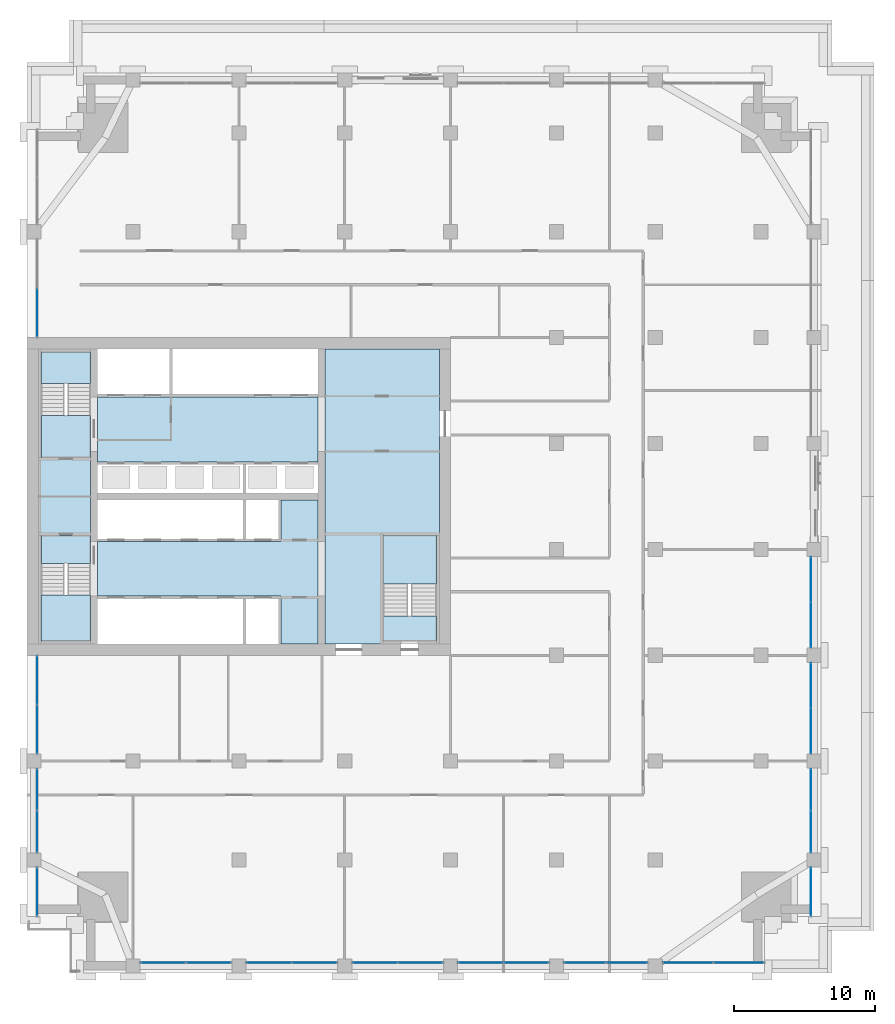
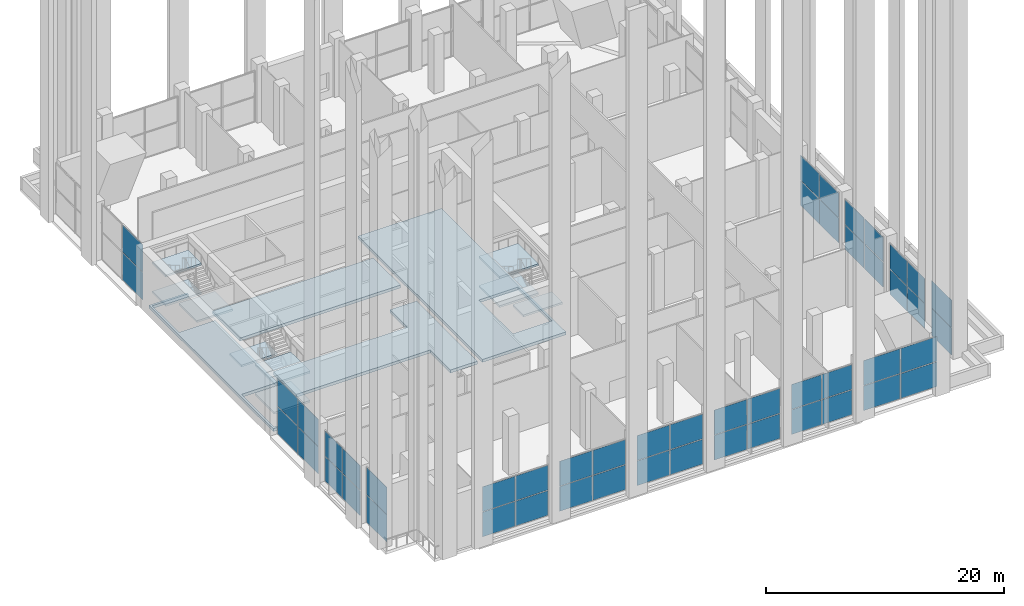
# One storey, part 10 of 23: 50 plates, 13 slabs, 17 elements without a shape of their own.
"""IFC4 building model written with IfcOpenShell, lengths in metres."""

from ifc_helpers import new_model, si_unit, direction, frame, origin, origin_2d, place, context, subcontext, project, spatial, polyline, rectangle, outline, extrude, material, layer, layer_set, type_object, element, aggregate, save


model = new_model("IFC4")

# Units and contexts
model_context = context("Model", 3, precision=1e-05, world=origin(), true_north=direction((0.0, 1.0)))
body_context = subcontext(model_context, "Body", "Model", "MODEL_VIEW")
ifc_project = project(units=[si_unit("LENGTHUNIT", "METRE"), si_unit("AREAUNIT", "SQUARE_METRE"), si_unit("VOLUMEUNIT", "CUBIC_METRE"), si_unit("PLANEANGLEUNIT", "RADIAN"), si_unit("MASSUNIT", "GRAM", prefix="KILO")], contexts=[model_context])

# Site, building, storey
site_placement = place(None, origin())
site = spatial("IfcSite", under=ifc_project, at=site_placement, CompositionType="ELEMENT")
building_placement = place(site_placement, origin())
building = spatial("IfcBuilding", under=site, at=building_placement, Name="Tamorin Gate", CompositionType="ELEMENT")
storey_placement = place(building_placement, frame((0.0, 0.0, 124.199951171875)))
storey = spatial("IfcBuildingStorey", under=building, at=storey_placement, Name="L30", CompositionType="ELEMENT", Elevation=124.199951171875)

# Curtain wall, plates
ifc_material_1 = material(Name="Aluminium mullions and transoms with clear glass", Category="aluminium")
ifc_layer_1 = layer(ifc_material_1, 0.159912109375)
ifc_layer_set_1 = layer_set([ifc_layer_1], Name="Curtain wall system CW1")
curtain_wall_type = type_object("IfcCurtainWallType", Name="Curtain wall system CW1", PredefinedType="NOTDEFINED", material=ifc_layer_set_1)
curtain_wall_1_placement = place(storey_placement, origin())
curtain_wall_1 = element("IfcCurtainWall", 1, at=curtain_wall_1_placement, inside=storey, type_object=curtain_wall_type, Name="Curtain wall", PredefinedType="NOTDEFINED")
ifc_material_2 = material(Name="Clear glass", Category="glass")
ifc_layer_2 = layer(ifc_material_2, 0.028076171875)
ifc_layer_set_2 = layer_set([ifc_layer_2], Name="Clear glass panel IGU 28")
plate_type = type_object("IfcPlateType", Name="Clear glass panel IGU 28", PredefinedType="CURTAIN_PANEL", material=ifc_layer_set_2)
plate_1_placement = place(storey_placement, frame((39.639892578125, 38.219970703125, 0.06005859375), z_axis=(0.0, 0.0, 1.0), x_axis=(1.0, 0.0, 0.0)))
plate_1 = element("IfcPlate", 2, at=plate_1_placement, type_object=plate_type, Name="CW1 panel 1.1", PredefinedType="CURTAIN_PANEL", context=body_context, shape_type="SweptSolid", body=[
    extrude(rectangle(XDim=3.159912109375, YDim=0.028076171875, at=origin_2d()), origin(), (0.0, 0.0, 1.0), 2.534912109375),
])
plate_2_placement = place(storey_placement, frame((39.639892578125, 38.219970703125, 2.6552734375), z_axis=(0.0, 0.0, 1.0), x_axis=(1.0, 0.0, 0.0)))
plate_2 = element("IfcPlate", 3, at=plate_2_placement, type_object=plate_type, Name="CW1 panel 1.2", PredefinedType="CURTAIN_PANEL", context=body_context, shape_type="SweptSolid", body=[
    extrude(rectangle(XDim=3.159912109375, YDim=0.028076171875, at=origin_2d()), origin(), (0.0, 0.0, 1.0), 2.534912109375),
])
plate_3_placement = place(storey_placement, frame((42.860107421875, 38.219970703125, 0.06005859375), z_axis=(0.0, 0.0, 1.0), x_axis=(1.0, 0.0, 0.0)))
plate_3 = element("IfcPlate", 4, at=plate_3_placement, type_object=plate_type, Name="CW1 panel 2.1", PredefinedType="CURTAIN_PANEL", context=body_context, shape_type="SweptSolid", body=[
    extrude(rectangle(XDim=3.159912109375, YDim=0.028076171875, at=origin_2d()), origin(), (0.0, 0.0, 1.0), 2.534912109375),
])
plate_4_placement = place(storey_placement, frame((42.860107421875, 38.219970703125, 2.6552734375), z_axis=(0.0, 0.0, 1.0), x_axis=(1.0, 0.0, 0.0)))
plate_4 = element("IfcPlate", 5, at=plate_4_placement, type_object=plate_type, Name="CW1 panel 2.2", PredefinedType="CURTAIN_PANEL", context=body_context, shape_type="SweptSolid", body=[
    extrude(rectangle(XDim=3.159912109375, YDim=0.028076171875, at=origin_2d()), origin(), (0.0, 0.0, 1.0), 2.534912109375),
])
aggregate(curtain_wall_1, [plate_1, plate_2, plate_3, plate_4])

curtain_wall_2_placement = place(storey_placement, origin())
curtain_wall_2 = element("IfcCurtainWall", 6, at=curtain_wall_2_placement, inside=storey, type_object=curtain_wall_type, Name="Curtain wall", PredefinedType="NOTDEFINED")
plate_5_placement = place(storey_placement, frame((47.139892578125, 38.219970703125, 0.06005859375), z_axis=(0.0, 0.0, 1.0), x_axis=(1.0, 0.0, 0.0)))
plate_5 = element("IfcPlate", 7, at=plate_5_placement, type_object=plate_type, Name="CW1 panel 1.1", PredefinedType="CURTAIN_PANEL", context=body_context, shape_type="SweptSolid", body=[
    extrude(rectangle(XDim=3.159912109375, YDim=0.028076171875, at=origin_2d()), origin(), (0.0, 0.0, 1.0), 2.534912109375),
])
plate_6_placement = place(storey_placement, frame((47.139892578125, 38.219970703125, 2.6552734375), z_axis=(0.0, 0.0, 1.0), x_axis=(1.0, 0.0, 0.0)))
plate_6 = element("IfcPlate", 8, at=plate_6_placement, type_object=plate_type, Name="CW1 panel 1.2", PredefinedType="CURTAIN_PANEL", context=body_context, shape_type="SweptSolid", body=[
    extrude(rectangle(XDim=3.159912109375, YDim=0.028076171875, at=origin_2d()), origin(), (0.0, 0.0, 1.0), 2.534912109375),
])
plate_7_placement = place(storey_placement, frame((50.360107421875, 38.219970703125, 0.06005859375), z_axis=(0.0, 0.0, 1.0), x_axis=(1.0, 0.0, 0.0)))
plate_7 = element("IfcPlate", 9, at=plate_7_placement, type_object=plate_type, Name="CW1 panel 2.1", PredefinedType="CURTAIN_PANEL", context=body_context, shape_type="SweptSolid", body=[
    extrude(rectangle(XDim=3.159912109375, YDim=0.028076171875, at=origin_2d()), origin(), (0.0, 0.0, 1.0), 2.534912109375),
])
plate_8_placement = place(storey_placement, frame((50.360107421875, 38.219970703125, 2.6552734375), z_axis=(0.0, 0.0, 1.0), x_axis=(1.0, 0.0, 0.0)))
plate_8 = element("IfcPlate", 10, at=plate_8_placement, type_object=plate_type, Name="CW1 panel 2.2", PredefinedType="CURTAIN_PANEL", context=body_context, shape_type="SweptSolid", body=[
    extrude(rectangle(XDim=3.159912109375, YDim=0.028076171875, at=origin_2d()), origin(), (0.0, 0.0, 1.0), 2.534912109375),
])
aggregate(curtain_wall_2, [plate_5, plate_6, plate_7, plate_8])

curtain_wall_3_placement = place(storey_placement, origin())
curtain_wall_3 = element("IfcCurtainWall", 11, at=curtain_wall_3_placement, inside=storey, type_object=curtain_wall_type, Name="Curtain wall", PredefinedType="NOTDEFINED")
plate_9_placement = place(storey_placement, frame((54.639892578125, 38.219970703125, 0.06005859375), z_axis=(0.0, 0.0, 1.0), x_axis=(1.0, 0.0, 0.0)))
plate_9 = element("IfcPlate", 12, at=plate_9_placement, type_object=plate_type, Name="CW1 panel 1.1", PredefinedType="CURTAIN_PANEL", context=body_context, shape_type="SweptSolid", body=[
    extrude(rectangle(XDim=3.159912109375, YDim=0.028076171875, at=origin_2d()), origin(), (0.0, 0.0, 1.0), 2.534912109375),
])
plate_10_placement = place(storey_placement, frame((54.639892578125, 38.219970703125, 2.6552734375), z_axis=(0.0, 0.0, 1.0), x_axis=(1.0, 0.0, 0.0)))
plate_10 = element("IfcPlate", 13, at=plate_10_placement, type_object=plate_type, Name="CW1 panel 1.2", PredefinedType="CURTAIN_PANEL", context=body_context, shape_type="SweptSolid", body=[
    extrude(rectangle(XDim=3.159912109375, YDim=0.028076171875, at=origin_2d()), origin(), (0.0, 0.0, 1.0), 2.534912109375),
])
plate_11_placement = place(storey_placement, frame((57.860107421875, 38.219970703125, 0.06005859375), z_axis=(0.0, 0.0, 1.0), x_axis=(1.0, 0.0, 0.0)))
plate_11 = element("IfcPlate", 14, at=plate_11_placement, type_object=plate_type, Name="CW1 panel 2.1", PredefinedType="CURTAIN_PANEL", context=body_context, shape_type="SweptSolid", body=[
    extrude(rectangle(XDim=3.159912109375, YDim=0.028076171875, at=origin_2d()), origin(), (0.0, 0.0, 1.0), 2.534912109375),
])
plate_12_placement = place(storey_placement, frame((57.860107421875, 38.219970703125, 2.6552734375), z_axis=(0.0, 0.0, 1.0), x_axis=(1.0, 0.0, 0.0)))
plate_12 = element("IfcPlate", 15, at=plate_12_placement, type_object=plate_type, Name="CW1 panel 2.2", PredefinedType="CURTAIN_PANEL", context=body_context, shape_type="SweptSolid", body=[
    extrude(rectangle(XDim=3.159912109375, YDim=0.028076171875, at=origin_2d()), origin(), (0.0, 0.0, 1.0), 2.534912109375),
])
aggregate(curtain_wall_3, [plate_9, plate_10, plate_11, plate_12])

curtain_wall_4_placement = place(storey_placement, origin())
curtain_wall_4 = element("IfcCurtainWall", 16, at=curtain_wall_4_placement, inside=storey, type_object=curtain_wall_type, Name="Curtain wall", PredefinedType="NOTDEFINED")
plate_13_placement = place(storey_placement, frame((62.139892578125, 38.219970703125, 0.06005859375), z_axis=(0.0, 0.0, 1.0), x_axis=(1.0, 0.0, 0.0)))
plate_13 = element("IfcPlate", 17, at=plate_13_placement, type_object=plate_type, Name="CW1 panel 1.1", PredefinedType="CURTAIN_PANEL", context=body_context, shape_type="SweptSolid", body=[
    extrude(rectangle(XDim=3.159912109375, YDim=0.028076171875, at=origin_2d()), origin(), (0.0, 0.0, 1.0), 2.534912109375),
])
plate_14_placement = place(storey_placement, frame((62.139892578125, 38.219970703125, 2.6552734375), z_axis=(0.0, 0.0, 1.0), x_axis=(1.0, 0.0, 0.0)))
plate_14 = element("IfcPlate", 18, at=plate_14_placement, type_object=plate_type, Name="CW1 panel 1.2", PredefinedType="CURTAIN_PANEL", context=body_context, shape_type="SweptSolid", body=[
    extrude(rectangle(XDim=3.159912109375, YDim=0.028076171875, at=origin_2d()), origin(), (0.0, 0.0, 1.0), 2.534912109375),
])
plate_15_placement = place(storey_placement, frame((65.360107421875, 38.219970703125, 0.06005859375), z_axis=(0.0, 0.0, 1.0), x_axis=(1.0, 0.0, 0.0)))
plate_15 = element("IfcPlate", 19, at=plate_15_placement, type_object=plate_type, Name="CW1 panel 2.1", PredefinedType="CURTAIN_PANEL", context=body_context, shape_type="SweptSolid", body=[
    extrude(rectangle(XDim=3.159912109375, YDim=0.028076171875, at=origin_2d()), origin(), (0.0, 0.0, 1.0), 2.534912109375),
])
plate_16_placement = place(storey_placement, frame((65.360107421875, 38.219970703125, 2.6552734375), z_axis=(0.0, 0.0, 1.0), x_axis=(1.0, 0.0, 0.0)))
plate_16 = element("IfcPlate", 20, at=plate_16_placement, type_object=plate_type, Name="CW1 panel 2.2", PredefinedType="CURTAIN_PANEL", context=body_context, shape_type="SweptSolid", body=[
    extrude(rectangle(XDim=3.159912109375, YDim=0.028076171875, at=origin_2d()), origin(), (0.0, 0.0, 1.0), 2.534912109375),
])
aggregate(curtain_wall_4, [plate_13, plate_14, plate_15, plate_16])

curtain_wall_5_placement = place(storey_placement, origin())
curtain_wall_5 = element("IfcCurtainWall", 21, at=curtain_wall_5_placement, inside=storey, type_object=curtain_wall_type, Name="Curtain wall", PredefinedType="NOTDEFINED")
plate_17_placement = place(storey_placement, frame((69.514892578125, 38.219970703125, 0.06005859375), z_axis=(0.0, 0.0, 1.0), x_axis=(1.0, 0.0, 0.0)))
plate_17 = element("IfcPlate", 22, at=plate_17_placement, type_object=plate_type, Name="CW1 panel 1.1", PredefinedType="CURTAIN_PANEL", context=body_context, shape_type="SweptSolid", body=[
    extrude(rectangle(XDim=2.909912109375, YDim=0.028076171875, at=origin_2d()), origin(), (0.0, 0.0, 1.0), 2.534912109375),
])
plate_18_placement = place(storey_placement, frame((69.514892578125, 38.219970703125, 2.6552734375), z_axis=(0.0, 0.0, 1.0), x_axis=(1.0, 0.0, 0.0)))
plate_18 = element("IfcPlate", 23, at=plate_18_placement, type_object=plate_type, Name="CW1 panel 1.2", PredefinedType="CURTAIN_PANEL", context=body_context, shape_type="SweptSolid", body=[
    extrude(rectangle(XDim=2.909912109375, YDim=0.028076171875, at=origin_2d()), origin(), (0.0, 0.0, 1.0), 2.534912109375),
])
plate_19_placement = place(storey_placement, frame((72.485107421875, 38.219970703125, 0.06005859375), z_axis=(0.0, 0.0, 1.0), x_axis=(1.0, 0.0, 0.0)))
plate_19 = element("IfcPlate", 24, at=plate_19_placement, type_object=plate_type, Name="CW1 panel 2.1", PredefinedType="CURTAIN_PANEL", context=body_context, shape_type="SweptSolid", body=[
    extrude(rectangle(XDim=2.909912109375, YDim=0.028076171875, at=origin_2d()), origin(), (0.0, 0.0, 1.0), 2.534912109375),
])
plate_20_placement = place(storey_placement, frame((72.485107421875, 38.219970703125, 2.6552734375), z_axis=(0.0, 0.0, 1.0), x_axis=(1.0, 0.0, 0.0)))
plate_20 = element("IfcPlate", 25, at=plate_20_placement, type_object=plate_type, Name="CW1 panel 2.2", PredefinedType="CURTAIN_PANEL", context=body_context, shape_type="SweptSolid", body=[
    extrude(rectangle(XDim=2.909912109375, YDim=0.028076171875, at=origin_2d()), origin(), (0.0, 0.0, 1.0), 2.534912109375),
])
aggregate(curtain_wall_5, [plate_17, plate_18, plate_19, plate_20])

curtain_wall_6_placement = place(storey_placement, origin())
curtain_wall_6 = element("IfcCurtainWall", 26, at=curtain_wall_6_placement, inside=storey, type_object=curtain_wall_type, Name="Curtain wall", PredefinedType="NOTDEFINED")
plate_21_placement = place(storey_placement, frame((76.827392578125, 38.219970703125, 0.06005859375), z_axis=(0.0, 0.0, 1.0), x_axis=(1.0, 0.0, 0.0)))
plate_21 = element("IfcPlate", 27, at=plate_21_placement, type_object=plate_type, Name="CW1 panel 1.1", PredefinedType="CURTAIN_PANEL", context=body_context, shape_type="SweptSolid", body=[
    extrude(rectangle(XDim=3.534912109375, YDim=0.028076171875, at=origin_2d()), origin(), (0.0, 0.0, 1.0), 2.534912109375),
])
plate_22_placement = place(storey_placement, frame((76.827392578125, 38.219970703125, 2.6552734375), z_axis=(0.0, 0.0, 1.0), x_axis=(1.0, 0.0, 0.0)))
plate_22 = element("IfcPlate", 28, at=plate_22_placement, type_object=plate_type, Name="CW1 panel 1.2", PredefinedType="CURTAIN_PANEL", context=body_context, shape_type="SweptSolid", body=[
    extrude(rectangle(XDim=3.534912109375, YDim=0.028076171875, at=origin_2d()), origin(), (0.0, 0.0, 1.0), 2.534912109375),
])
plate_23_placement = place(storey_placement, frame((80.422607421875, 38.219970703125, 0.06005859375), z_axis=(0.0, 0.0, 1.0), x_axis=(1.0, 0.0, 0.0)))
plate_23 = element("IfcPlate", 29, at=plate_23_placement, type_object=plate_type, Name="CW1 panel 2.1", PredefinedType="CURTAIN_PANEL", context=body_context, shape_type="SweptSolid", body=[
    extrude(rectangle(XDim=3.534912109375, YDim=0.028076171875, at=origin_2d()), origin(), (0.0, 0.0, 1.0), 2.534912109375),
])
plate_24_placement = place(storey_placement, frame((80.422607421875, 38.219970703125, 2.6552734375), z_axis=(0.0, 0.0, 1.0), x_axis=(1.0, 0.0, 0.0)))
plate_24 = element("IfcPlate", 30, at=plate_24_placement, type_object=plate_type, Name="CW1 panel 2.2", PredefinedType="CURTAIN_PANEL", context=body_context, shape_type="SweptSolid", body=[
    extrude(rectangle(XDim=3.534912109375, YDim=0.028076171875, at=origin_2d()), origin(), (0.0, 0.0, 1.0), 2.534912109375),
])
aggregate(curtain_wall_6, [plate_21, plate_22, plate_23, plate_24])

curtain_wall_7_placement = place(storey_placement, origin())
curtain_wall_7 = element("IfcCurtainWall", 31, at=curtain_wall_7_placement, inside=storey, type_object=curtain_wall_type, Name="Curtain wall", PredefinedType="NOTDEFINED")
plate_25_placement = place(storey_placement, frame((85.530029296875, 43.25, 0.06005859375), z_axis=(0.0, 0.0, 1.0), x_axis=(0.0, 1.0, 0.0)))
plate_25 = element("IfcPlate", 32, at=plate_25_placement, type_object=plate_type, Name="CW1 panel 1.1", PredefinedType="CURTAIN_PANEL", context=body_context, shape_type="SweptSolid", body=[
    extrude(rectangle(XDim=3.3798828125, YDim=0.028076171875, at=origin_2d()), origin(), (0.0, 0.0, 1.0), 2.784912109375),
])
plate_26_placement = place(storey_placement, frame((85.530029296875, 43.25, 2.9052734375), z_axis=(0.0, 0.0, 1.0), x_axis=(0.0, 1.0, 0.0)))
plate_26 = element("IfcPlate", 33, at=plate_26_placement, type_object=plate_type, Name="CW1 panel 1.2", PredefinedType="CURTAIN_PANEL", context=body_context, shape_type="SweptSolid", body=[
    extrude(rectangle(XDim=3.3798828125, YDim=0.028076171875, at=origin_2d()), origin(), (0.0, 0.0, 1.0), 2.784912109375),
])
aggregate(curtain_wall_7, [plate_25, plate_26])

curtain_wall_8_placement = place(storey_placement, origin())
curtain_wall_8 = element("IfcCurtainWall", 34, at=curtain_wall_8_placement, inside=storey, type_object=curtain_wall_type, Name="Curtain wall", PredefinedType="NOTDEFINED")
plate_27_placement = place(storey_placement, frame((85.530029296875, 47.514892578125, 0.06005859375), z_axis=(0.0, 0.0, 1.0), x_axis=(0.0, 1.0, 0.0)))
plate_27 = element("IfcPlate", 35, at=plate_27_placement, type_object=plate_type, Name="CW1 panel 1.1", PredefinedType="CURTAIN_PANEL", context=body_context, shape_type="SweptSolid", body=[
    extrude(rectangle(XDim=2.909912109375, YDim=0.028076171875, at=origin_2d()), origin(), (0.0, 0.0, 1.0), 2.534912109375),
])
plate_28_placement = place(storey_placement, frame((85.530029296875, 47.514892578125, 2.6552734375), z_axis=(0.0, 0.0, 1.0), x_axis=(0.0, 1.0, 0.0)))
plate_28 = element("IfcPlate", 36, at=plate_28_placement, type_object=plate_type, Name="CW1 panel 1.2", PredefinedType="CURTAIN_PANEL", context=body_context, shape_type="SweptSolid", body=[
    extrude(rectangle(XDim=2.909912109375, YDim=0.028076171875, at=origin_2d()), origin(), (0.0, 0.0, 1.0), 2.534912109375),
])
plate_29_placement = place(storey_placement, frame((85.530029296875, 50.485107421875, 0.06005859375), z_axis=(0.0, 0.0, 1.0), x_axis=(0.0, 1.0, 0.0)))
plate_29 = element("IfcPlate", 37, at=plate_29_placement, type_object=plate_type, Name="CW1 panel 2.1", PredefinedType="CURTAIN_PANEL", context=body_context, shape_type="SweptSolid", body=[
    extrude(rectangle(XDim=2.909912109375, YDim=0.028076171875, at=origin_2d()), origin(), (0.0, 0.0, 1.0), 2.534912109375),
])
plate_30_placement = place(storey_placement, frame((85.530029296875, 50.485107421875, 2.6552734375), z_axis=(0.0, 0.0, 1.0), x_axis=(0.0, 1.0, 0.0)))
plate_30 = element("IfcPlate", 38, at=plate_30_placement, type_object=plate_type, Name="CW1 panel 2.2", PredefinedType="CURTAIN_PANEL", context=body_context, shape_type="SweptSolid", body=[
    extrude(rectangle(XDim=2.909912109375, YDim=0.028076171875, at=origin_2d()), origin(), (0.0, 0.0, 1.0), 2.534912109375),
])
aggregate(curtain_wall_8, [plate_27, plate_28, plate_29, plate_30])

curtain_wall_9_placement = place(storey_placement, origin())
curtain_wall_9 = element("IfcCurtainWall", 39, at=curtain_wall_9_placement, inside=storey, type_object=curtain_wall_type, Name="Curtain wall", PredefinedType="NOTDEFINED")
plate_31_placement = place(storey_placement, frame((85.530029296875, 54.639892578125, 0.06005859375), z_axis=(0.0, 0.0, 1.0), x_axis=(0.0, 1.0, 0.0)))
plate_31 = element("IfcPlate", 40, at=plate_31_placement, type_object=plate_type, Name="CW1 panel 1.1", PredefinedType="CURTAIN_PANEL", context=body_context, shape_type="SweptSolid", body=[
    extrude(rectangle(XDim=3.159912109375, YDim=0.028076171875, at=origin_2d()), origin(), (0.0, 0.0, 1.0), 2.534912109375),
])
plate_32_placement = place(storey_placement, frame((85.530029296875, 54.639892578125, 2.6552734375), z_axis=(0.0, 0.0, 1.0), x_axis=(0.0, 1.0, 0.0)))
plate_32 = element("IfcPlate", 41, at=plate_32_placement, type_object=plate_type, Name="CW1 panel 1.2", PredefinedType="CURTAIN_PANEL", context=body_context, shape_type="SweptSolid", body=[
    extrude(rectangle(XDim=3.159912109375, YDim=0.028076171875, at=origin_2d()), origin(), (0.0, 0.0, 1.0), 2.534912109375),
])
plate_33_placement = place(storey_placement, frame((85.530029296875, 57.860107421875, 0.06005859375), z_axis=(0.0, 0.0, 1.0), x_axis=(0.0, 1.0, 0.0)))
plate_33 = element("IfcPlate", 42, at=plate_33_placement, type_object=plate_type, Name="CW1 panel 2.1", PredefinedType="CURTAIN_PANEL", context=body_context, shape_type="SweptSolid", body=[
    extrude(rectangle(XDim=3.159912109375, YDim=0.028076171875, at=origin_2d()), origin(), (0.0, 0.0, 1.0), 2.534912109375),
])
plate_34_placement = place(storey_placement, frame((85.530029296875, 57.860107421875, 2.6552734375), z_axis=(0.0, 0.0, 1.0), x_axis=(0.0, 1.0, 0.0)))
plate_34 = element("IfcPlate", 43, at=plate_34_placement, type_object=plate_type, Name="CW1 panel 2.2", PredefinedType="CURTAIN_PANEL", context=body_context, shape_type="SweptSolid", body=[
    extrude(rectangle(XDim=3.159912109375, YDim=0.028076171875, at=origin_2d()), origin(), (0.0, 0.0, 1.0), 2.534912109375),
])
aggregate(curtain_wall_9, [plate_31, plate_32, plate_33, plate_34])

curtain_wall_10_placement = place(storey_placement, origin())
curtain_wall_10 = element("IfcCurtainWall", 44, at=curtain_wall_10_placement, inside=storey, type_object=curtain_wall_type, Name="Curtain wall", PredefinedType="NOTDEFINED")
plate_35_placement = place(storey_placement, frame((85.530029296875, 62.139892578125, 0.06005859375), z_axis=(0.0, 0.0, 1.0), x_axis=(0.0, 1.0, 0.0)))
plate_35 = element("IfcPlate", 45, at=plate_35_placement, type_object=plate_type, Name="CW1 panel 1.1", PredefinedType="CURTAIN_PANEL", context=body_context, shape_type="SweptSolid", body=[
    extrude(rectangle(XDim=3.159912109375, YDim=0.028076171875, at=origin_2d()), origin(), (0.0, 0.0, 1.0), 2.534912109375),
])
plate_36_placement = place(storey_placement, frame((85.530029296875, 62.139892578125, 2.6552734375), z_axis=(0.0, 0.0, 1.0), x_axis=(0.0, 1.0, 0.0)))
plate_36 = element("IfcPlate", 46, at=plate_36_placement, type_object=plate_type, Name="CW1 panel 1.2", PredefinedType="CURTAIN_PANEL", context=body_context, shape_type="SweptSolid", body=[
    extrude(rectangle(XDim=3.159912109375, YDim=0.028076171875, at=origin_2d()), origin(), (0.0, 0.0, 1.0), 2.534912109375),
])
plate_37_placement = place(storey_placement, frame((85.530029296875, 65.360107421875, 0.06005859375), z_axis=(0.0, 0.0, 1.0), x_axis=(0.0, 1.0, 0.0)))
plate_37 = element("IfcPlate", 47, at=plate_37_placement, type_object=plate_type, Name="CW1 panel 2.1", PredefinedType="CURTAIN_PANEL", context=body_context, shape_type="SweptSolid", body=[
    extrude(rectangle(XDim=3.159912109375, YDim=0.028076171875, at=origin_2d()), origin(), (0.0, 0.0, 1.0), 2.534912109375),
])
plate_38_placement = place(storey_placement, frame((85.530029296875, 65.360107421875, 2.6552734375), z_axis=(0.0, 0.0, 1.0), x_axis=(0.0, 1.0, 0.0)))
plate_38 = element("IfcPlate", 48, at=plate_38_placement, type_object=plate_type, Name="CW1 panel 2.2", PredefinedType="CURTAIN_PANEL", context=body_context, shape_type="SweptSolid", body=[
    extrude(rectangle(XDim=3.159912109375, YDim=0.028076171875, at=origin_2d()), origin(), (0.0, 0.0, 1.0), 2.534912109375),
])
aggregate(curtain_wall_10, [plate_35, plate_36, plate_37, plate_38])

curtain_wall_11_placement = place(storey_placement, origin())
curtain_wall_11 = element("IfcCurtainWall", 49, at=curtain_wall_11_placement, inside=storey, type_object=curtain_wall_type, Name="Curtain wall", PredefinedType="NOTDEFINED")
plate_39_placement = place(storey_placement, frame((30.719970703125, 84.264892578125, 0.06005859375), z_axis=(0.0, 0.0, 1.0), x_axis=(0.0, -1.0, 0.0)))
plate_39 = element("IfcPlate", 50, at=plate_39_placement, type_object=plate_type, Name="CW1 panel 2.1", PredefinedType="CURTAIN_PANEL", context=body_context, shape_type="SweptSolid", body=[
    extrude(rectangle(XDim=3.409912109375, YDim=0.028076171875, at=origin_2d()), origin(), (0.0, 0.0, 1.0), 2.784912109375),
])
plate_40_placement = place(storey_placement, frame((30.719970703125, 84.264892578125, 2.9052734375), z_axis=(0.0, 0.0, 1.0), x_axis=(0.0, -1.0, 0.0)))
plate_40 = element("IfcPlate", 51, at=plate_40_placement, type_object=plate_type, Name="CW1 panel 2.2", PredefinedType="CURTAIN_PANEL", context=body_context, shape_type="SweptSolid", body=[
    extrude(rectangle(XDim=3.409912109375, YDim=0.028076171875, at=origin_2d()), origin(), (0.0, 0.0, 1.0), 2.784912109375),
])
aggregate(curtain_wall_11, [plate_39, plate_40])

curtain_wall_12_placement = place(storey_placement, origin())
curtain_wall_12 = element("IfcCurtainWall", 52, at=curtain_wall_12_placement, inside=storey, type_object=curtain_wall_type, Name="Curtain wall", PredefinedType="NOTDEFINED")
plate_41_placement = place(storey_placement, frame((30.719970703125, 58.235107421875, 0.06005859375), z_axis=(0.0, 0.0, 1.0), x_axis=(0.0, -1.0, 0.0)))
plate_41 = element("IfcPlate", 53, at=plate_41_placement, type_object=plate_type, Name="CW1 panel 1.1", PredefinedType="CURTAIN_PANEL", context=body_context, shape_type="SweptSolid", body=[
    extrude(rectangle(XDim=3.409912109375, YDim=0.028076171875, at=origin_2d()), origin(), (0.0, 0.0, 1.0), 2.784912109375),
])
plate_42_placement = place(storey_placement, frame((30.719970703125, 58.235107421875, 2.9052734375), z_axis=(0.0, 0.0, 1.0), x_axis=(0.0, -1.0, 0.0)))
plate_42 = element("IfcPlate", 54, at=plate_42_placement, type_object=plate_type, Name="CW1 panel 1.2", PredefinedType="CURTAIN_PANEL", context=body_context, shape_type="SweptSolid", body=[
    extrude(rectangle(XDim=3.409912109375, YDim=0.028076171875, at=origin_2d()), origin(), (0.0, 0.0, 1.0), 2.784912109375),
])
plate_43_placement = place(storey_placement, frame((30.719970703125, 54.764892578125, 0.06005859375), z_axis=(0.0, 0.0, 1.0), x_axis=(0.0, -1.0, 0.0)))
plate_43 = element("IfcPlate", 55, at=plate_43_placement, type_object=plate_type, Name="CW1 panel 2.1", PredefinedType="CURTAIN_PANEL", context=body_context, shape_type="SweptSolid", body=[
    extrude(rectangle(XDim=3.409912109375, YDim=0.028076171875, at=origin_2d()), origin(), (0.0, 0.0, 1.0), 2.784912109375),
])
plate_44_placement = place(storey_placement, frame((30.719970703125, 54.764892578125, 2.9052734375), z_axis=(0.0, 0.0, 1.0), x_axis=(0.0, -1.0, 0.0)))
plate_44 = element("IfcPlate", 56, at=plate_44_placement, type_object=plate_type, Name="CW1 panel 2.2", PredefinedType="CURTAIN_PANEL", context=body_context, shape_type="SweptSolid", body=[
    extrude(rectangle(XDim=3.409912109375, YDim=0.028076171875, at=origin_2d()), origin(), (0.0, 0.0, 1.0), 2.784912109375),
])
aggregate(curtain_wall_12, [plate_41, plate_42, plate_43, plate_44])

curtain_wall_13_placement = place(storey_placement, origin())
curtain_wall_13 = element("IfcCurtainWall", 57, at=curtain_wall_13_placement, inside=storey, type_object=curtain_wall_type, Name="Curtain wall", PredefinedType="NOTDEFINED")
plate_45_placement = place(storey_placement, frame((30.719970703125, 50.485107421875, 0.06005859375), z_axis=(0.0, 0.0, 1.0), x_axis=(0.0, -1.0, 0.0)))
plate_45 = element("IfcPlate", 58, at=plate_45_placement, type_object=plate_type, Name="CW1 panel 1.1", PredefinedType="CURTAIN_PANEL", context=body_context, shape_type="SweptSolid", body=[
    extrude(rectangle(XDim=2.909912109375, YDim=0.028076171875, at=origin_2d()), origin(), (0.0, 0.0, 1.0), 2.534912109375),
])
plate_46_placement = place(storey_placement, frame((30.719970703125, 50.485107421875, 2.6552734375), z_axis=(0.0, 0.0, 1.0), x_axis=(0.0, -1.0, 0.0)))
plate_46 = element("IfcPlate", 59, at=plate_46_placement, type_object=plate_type, Name="CW1 panel 1.2", PredefinedType="CURTAIN_PANEL", context=body_context, shape_type="SweptSolid", body=[
    extrude(rectangle(XDim=2.909912109375, YDim=0.028076171875, at=origin_2d()), origin(), (0.0, 0.0, 1.0), 2.534912109375),
])
plate_47_placement = place(storey_placement, frame((30.719970703125, 47.514892578125, 0.06005859375), z_axis=(0.0, 0.0, 1.0), x_axis=(0.0, -1.0, 0.0)))
plate_47 = element("IfcPlate", 60, at=plate_47_placement, type_object=plate_type, Name="CW1 panel 2.1", PredefinedType="CURTAIN_PANEL", context=body_context, shape_type="SweptSolid", body=[
    extrude(rectangle(XDim=2.909912109375, YDim=0.028076171875, at=origin_2d()), origin(), (0.0, 0.0, 1.0), 2.534912109375),
])
plate_48_placement = place(storey_placement, frame((30.719970703125, 47.514892578125, 2.6552734375), z_axis=(0.0, 0.0, 1.0), x_axis=(0.0, -1.0, 0.0)))
plate_48 = element("IfcPlate", 61, at=plate_48_placement, type_object=plate_type, Name="CW1 panel 2.2", PredefinedType="CURTAIN_PANEL", context=body_context, shape_type="SweptSolid", body=[
    extrude(rectangle(XDim=2.909912109375, YDim=0.028076171875, at=origin_2d()), origin(), (0.0, 0.0, 1.0), 2.534912109375),
])
aggregate(curtain_wall_13, [plate_45, plate_46, plate_47, plate_48])

curtain_wall_14_placement = place(storey_placement, origin())
curtain_wall_14 = element("IfcCurtainWall", 62, at=curtain_wall_14_placement, inside=storey, type_object=curtain_wall_type, Name="Curtain wall", PredefinedType="NOTDEFINED")
plate_49_placement = place(storey_placement, frame((30.719970703125, 43.25, 0.06005859375), z_axis=(0.0, 0.0, 1.0), x_axis=(0.0, -1.0, 0.0)))
plate_49 = element("IfcPlate", 63, at=plate_49_placement, type_object=plate_type, Name="CW1 panel 1.1", PredefinedType="CURTAIN_PANEL", context=body_context, shape_type="SweptSolid", body=[
    extrude(rectangle(XDim=3.3798828125, YDim=0.028076171875, at=origin_2d()), origin(), (0.0, 0.0, 1.0), 2.784912109375),
])
plate_50_placement = place(storey_placement, frame((30.719970703125, 43.25, 2.9052734375), z_axis=(0.0, 0.0, 1.0), x_axis=(0.0, -1.0, 0.0)))
plate_50 = element("IfcPlate", 64, at=plate_50_placement, type_object=plate_type, Name="CW1 panel 1.2", PredefinedType="CURTAIN_PANEL", context=body_context, shape_type="SweptSolid", body=[
    extrude(rectangle(XDim=3.3798828125, YDim=0.028076171875, at=origin_2d()), origin(), (0.0, 0.0, 1.0), 2.784912109375),
])
aggregate(curtain_wall_14, [plate_49, plate_50])

# Slabs
ifc_material_3 = material(Name="Concrete C40/50", Category="concrete")
ifc_layer_3 = layer(ifc_material_3, 0.300048828125)
ifc_layer_set_3 = layer_set([ifc_layer_3], Name="Core floor slab 300 C40/50")
slab_type_1 = type_object("IfcSlabType", Name="Core floor slab 300 C40/50", PredefinedType="FLOOR", material=ifc_layer_set_3)
slab_1_placement = place(storey_placement, frame((0.0, 0.0, -0.300048828125)))
element("IfcSlab", 65, at=slab_1_placement, inside=storey, type_object=slab_type_1, Name="Core floor L30", PredefinedType="FLOOR", context=body_context, shape_type="SweptSolid", body=[
    extrude(outline(polyline([(59.199951171875, 60.800048828125), (51.10009765625, 60.800048828125), (51.10009765625, 81.699951171875), (59.199951171875, 81.699951171875), (59.199951171875, 60.800048828125)]), holes=[polyline([(59.0, 68.5), (55.199951171875, 68.5), (55.199951171875, 62.800048828125), (59.0, 62.800048828125), (59.0, 68.5)])]), origin(), (0.0, 0.0, 1.0), 0.300048828125),
])
slab_2_placement = place(storey_placement, frame((0.0, 0.0, -0.300048828125)))
element("IfcSlab", 66, at=slab_2_placement, inside=storey, type_object=slab_type_1, Name="Core floor L30", PredefinedType="FLOOR", context=body_context, shape_type="SweptSolid", body=[
    extrude(outline(polyline([(48.0, 60.800048828125), (48.0, 64.199951171875), (35.0, 64.199951171875), (35.0, 68.050048828125), (48.0, 68.050048828125), (48.0, 71.0), (50.60009765625, 71.0), (50.60009765625, 60.800048828125), (48.0, 60.800048828125)])), origin(), (0.0, 0.0, 1.0), 0.300048828125),
])
slab_3_placement = place(storey_placement, frame((0.0, 0.0, -0.300048828125)))
element("IfcSlab", 67, at=slab_3_placement, inside=storey, type_object=slab_type_1, Name="Core floor L30", PredefinedType="FLOOR", context=body_context, shape_type="SweptSolid", body=[
    extrude(outline(polyline([(35.0, 73.699951171875), (35.0, 78.300048828125), (50.60009765625, 78.300048828125), (50.60009765625, 73.699951171875), (35.0, 73.699951171875)])), origin(), (0.0, 0.0, 1.0), 0.300048828125),
])
slab_4_placement = place(storey_placement, frame((0.0, 0.0, -0.300048828125)))
element("IfcSlab", 68, at=slab_4_placement, inside=storey, type_object=slab_type_1, Name="Core floor L30", PredefinedType="FLOOR", context=body_context, shape_type="SweptSolid", body=[
    extrude(outline(polyline([(30.800048828125, 81.699951171875), (34.5, 81.699951171875), (34.5, 81.5), (31.0, 81.5), (31.0, 77.0), (34.5, 77.0), (34.5, 66.5), (31.0, 66.5), (31.0, 61.0), (34.5, 61.0), (34.5, 60.800048828125), (30.800048828125, 60.800048828125), (30.800048828125, 81.699951171875)])), origin(), (0.0, 0.0, 1.0), 0.300048828125),
])

# Stair, slabs
stair_type = type_object("IfcStairType", Name="Exit stair", PredefinedType="HALF_TURN_STAIR", material=ifc_material_3)
stair_1_placement = place(storey_placement, origin())
stair_1 = element("IfcStair", 69, at=stair_1_placement, inside=storey, type_object=stair_type, Name="L30 stair ST1", PredefinedType="HALF_TURN_STAIR")
ifc_layer_4 = layer(ifc_material_3, 0.199951171875)
ifc_layer_set_4 = layer_set([ifc_layer_4], Name="Exit stair landing 200")
slab_type_2 = type_object("IfcSlabType", Name="Exit stair landing 200", PredefinedType="LANDING", material=ifc_layer_set_4)
slab_5_placement = place(storey_placement, frame((0.0, 0.0, 1.300048828125)))
slab_5 = element("IfcSlab", 70, at=slab_5_placement, type_object=slab_type_2, Name="ST1 landing 1", PredefinedType="LANDING", context=body_context, shape_type="SweptSolid", body=[
    extrude(outline(polyline([(31.0, 64.260009765625), (31.0, 61.0), (34.5, 61.0), (34.5, 64.260009765625), (31.0, 64.260009765625)])), origin(), (0.0, 0.0, 1.0), 0.199951171875),
])
slab_6_placement = place(storey_placement, frame((0.0, 0.0, 2.800048828125)))
slab_6 = element("IfcSlab", 71, at=slab_6_placement, type_object=slab_type_2, Name="ST1 landing 2", PredefinedType="LANDING", context=body_context, shape_type="SweptSolid", body=[
    extrude(outline(polyline([(31.0, 68.5), (31.0, 66.5), (34.5, 66.5), (34.5, 68.5), (31.0, 68.5)])), origin(), (0.0, 0.0, 1.0), 0.199951171875),
])
slab_7_placement = place(storey_placement, frame((0.0, 0.0, 4.300048828125)))
slab_7 = element("IfcSlab", 72, at=slab_7_placement, type_object=slab_type_2, Name="ST1 landing 3", PredefinedType="LANDING", context=body_context, shape_type="SweptSolid", body=[
    extrude(outline(polyline([(31.0, 64.260009765625), (31.0, 61.0), (34.5, 61.0), (34.5, 64.260009765625), (31.0, 64.260009765625)])), origin(), (0.0, 0.0, 1.0), 0.199951171875),
])
aggregate(stair_1, [slab_5, slab_6, slab_7])

stair_2_placement = place(storey_placement, origin())
stair_2 = element("IfcStair", 73, at=stair_2_placement, inside=storey, type_object=stair_type, Name="L30 stair ST2", PredefinedType="HALF_TURN_STAIR")
slab_8_placement = place(storey_placement, frame((0.0, 0.0, 1.300048828125)))
slab_8 = element("IfcSlab", 74, at=slab_8_placement, type_object=slab_type_2, Name="ST2 landing 1", PredefinedType="LANDING", context=body_context, shape_type="SweptSolid", body=[
    extrude(outline(polyline([(34.5, 79.239990234375), (34.5, 81.5), (31.0, 81.5), (31.0, 79.239990234375), (34.5, 79.239990234375)])), origin(), (0.0, 0.0, 1.0), 0.199951171875),
])
slab_9_placement = place(storey_placement, frame((0.0, 0.0, 2.800048828125)))
slab_9 = element("IfcSlab", 75, at=slab_9_placement, type_object=slab_type_2, Name="ST2 landing 2", PredefinedType="LANDING", context=body_context, shape_type="SweptSolid", body=[
    extrude(outline(polyline([(34.5, 74.0), (34.5, 77.0), (31.0, 77.0), (31.0, 74.0), (34.5, 74.0)])), origin(), (0.0, 0.0, 1.0), 0.199951171875),
])
slab_10_placement = place(storey_placement, frame((0.0, 0.0, 4.300048828125)))
slab_10 = element("IfcSlab", 76, at=slab_10_placement, type_object=slab_type_2, Name="ST2 landing 3", PredefinedType="LANDING", context=body_context, shape_type="SweptSolid", body=[
    extrude(outline(polyline([(34.5, 79.239990234375), (34.5, 81.5), (31.0, 81.5), (31.0, 79.239990234375), (34.5, 79.239990234375)])), origin(), (0.0, 0.0, 1.0), 0.199951171875),
])
aggregate(stair_2, [slab_8, slab_9, slab_10])

stair_3_placement = place(storey_placement, origin())
stair_3 = element("IfcStair", 77, at=stair_3_placement, inside=storey, type_object=stair_type, Name="L30 stair ST3", PredefinedType="HALF_TURN_STAIR")
slab_11_placement = place(storey_placement, frame((0.0, 0.0, 1.300048828125)))
slab_11 = element("IfcSlab", 78, at=slab_11_placement, type_object=slab_type_2, Name="ST3 landing 1", PredefinedType="LANDING", context=body_context, shape_type="SweptSolid", body=[
    extrude(outline(polyline([(59.0, 65.0400390625), (59.0, 68.5), (55.199951171875, 68.5), (55.199951171875, 65.0400390625), (59.0, 65.0400390625)])), origin(), (0.0, 0.0, 1.0), 0.199951171875),
])
slab_12_placement = place(storey_placement, frame((0.0, 0.0, 2.800048828125)))
slab_12 = element("IfcSlab", 79, at=slab_12_placement, type_object=slab_type_2, Name="ST3 landing 2", PredefinedType="LANDING", context=body_context, shape_type="SweptSolid", body=[
    extrude(outline(polyline([(59.0, 61.0), (59.0, 62.800048828125), (55.199951171875, 62.800048828125), (55.199951171875, 61.0), (59.0, 61.0)])), origin(), (0.0, 0.0, 1.0), 0.199951171875),
])
slab_13_placement = place(storey_placement, frame((0.0, 0.0, 4.300048828125)))
slab_13 = element("IfcSlab", 80, at=slab_13_placement, type_object=slab_type_2, Name="ST3 landing 3", PredefinedType="LANDING", context=body_context, shape_type="SweptSolid", body=[
    extrude(outline(polyline([(59.0, 65.0400390625), (59.0, 68.5), (55.199951171875, 68.5), (55.199951171875, 65.0400390625), (59.0, 65.0400390625)])), origin(), (0.0, 0.0, 1.0), 0.199951171875),
])
aggregate(stair_3, [slab_11, slab_12, slab_13])

save(model, "model.ifc")
